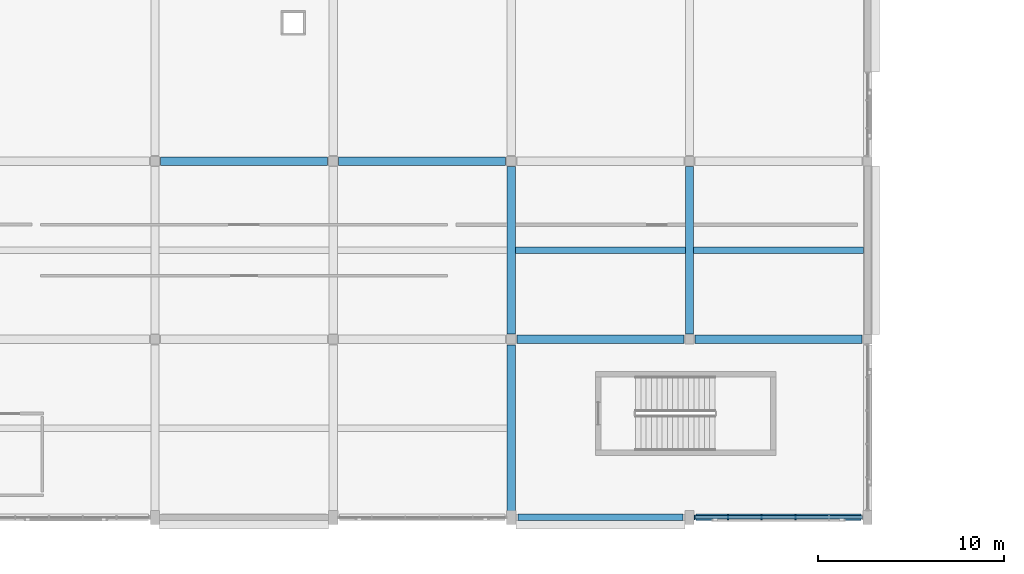
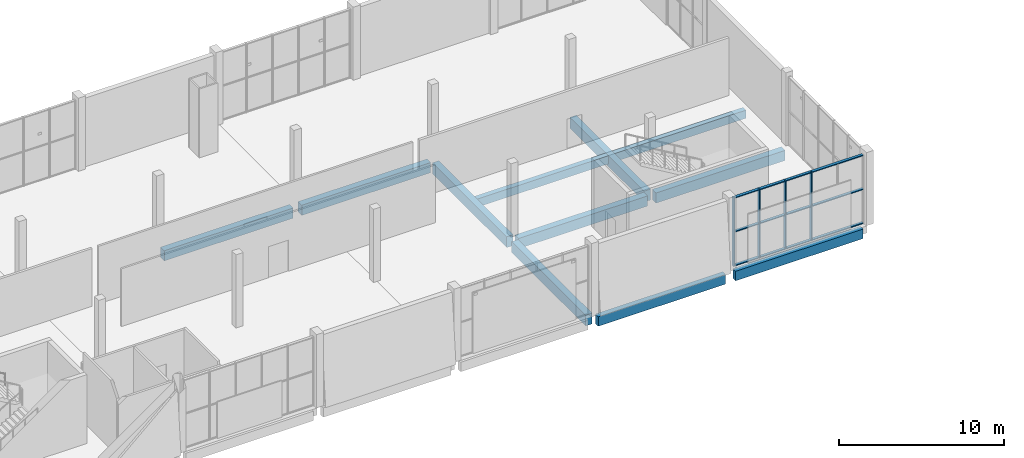
# One storey, part 10 of 83: 11 beams, 7 members, 1 element without a shape of its own.
"""IFC4 building model written with IfcOpenShell, lengths in metres."""

from ifc_helpers import new_model, si_unit, direction, frame, origin, origin_2d, place, context, subcontext, project, spatial, rectangle, extrude, material, material_profile, profile_set, type_object, element, aggregate, save


model = new_model("IFC4")

# Units and contexts
model_context = context("Model", 3, precision=1e-05, world=origin(), true_north=direction((0.0, 1.0)))
body_context = subcontext(model_context, "Body", "Model", "MODEL_VIEW")
ifc_project = project(units=[si_unit("LENGTHUNIT", "METRE"), si_unit("AREAUNIT", "SQUARE_METRE"), si_unit("VOLUMEUNIT", "CUBIC_METRE"), si_unit("PLANEANGLEUNIT", "RADIAN"), si_unit("MASSUNIT", "GRAM", prefix="KILO")], contexts=[model_context])

# Site, building, storey
site_placement = place(None, origin())
site = spatial("IfcSite", under=ifc_project, at=site_placement, CompositionType="ELEMENT")
building_placement = place(site_placement, origin())
building = spatial("IfcBuilding", under=site, at=building_placement, Name="Shalvenor Court Art Gallery", CompositionType="ELEMENT")
storey_placement = place(building_placement, frame((0.0, 0.0, 6.0)))
storey = spatial("IfcBuildingStorey", under=building, at=storey_placement, Name="L01", CompositionType="ELEMENT", Elevation=6.0)

# Beams
ifc_material_1 = material(Name="Concrete C40/50", Category="concrete")
ifc_material_profile_1 = material_profile(ifc_material_1, rectangle(XDim=0.449951171875, YDim=0.800048828125, at=origin_2d()), Name="RC 450x800")
ifc_profile_set_1 = profile_set([ifc_material_profile_1], Name="Concrete C40/50")
beam_type_1 = type_object("IfcBeamType", Name="B-03", PredefinedType="BEAM", material=ifc_profile_set_1)
beam_1_placement = place(storey_placement, frame((48.0, 0.35009765625, -0.719970703125), z_axis=(0.0, 1.0, 0.0), x_axis=(-1.0, 0.0, 0.0)))
element("IfcBeam", 1, at=beam_1_placement, inside=storey, type_object=beam_type_1, Name="L01 Girder BM-L01-B-03-0397", PredefinedType="BEAM", context=body_context, shape_type="SweptSolid", body=[
    extrude(rectangle(XDim=0.449951171875, YDim=0.800048828125, at=origin_2d()), origin(), (0.0, 0.0, 1.0), 8.949951171875),
])
for number, where, z_axis, x_axis, name in (
    (2, (48.0, 9.89990234375, -0.719970703125), (0.0, 1.0, 0.0), (-1.0, 0.0, 0.0), "L01 Girder BM-L01-B-03-0398"),
    (3, (57.60009765625, 9.89990234375, -0.719970703125), (0.0, 1.0, 0.0), (-1.0, 0.0, 0.0), "L01 Girder BM-L01-B-03-0402"),
):
    element("IfcBeam", number, at=place(storey_placement, frame(where, z_axis=z_axis, x_axis=x_axis)), inside=storey, type_object=beam_type_1, Name=name, PredefinedType="BEAM", context=body_context, shape_type="SweptSolid", body=[
        extrude(rectangle(XDim=0.449951171875, YDim=0.800048828125, at=origin_2d()), origin(), (0.0, 0.0, 1.0), 9.0),
    ])
ifc_material_2 = material(Name="Concrete C40/50", Category="concrete")
ifc_material_profile_2 = material_profile(ifc_material_2, rectangle(XDim=0.449951171875, YDim=0.75, at=origin_2d()), Name="RC 450x750")
ifc_profile_set_2 = profile_set([ifc_material_profile_2], Name="Concrete C40/50")
beam_type_2 = type_object("IfcBeamType", Name="B-04", PredefinedType="BEAM", material=ifc_profile_set_2)
for number, where, z_axis, x_axis, name in (
    (4, (48.300048828125, 9.60009765625, -0.695068359375), (1.0, 0.0, 0.0), (0.0, 1.0, 0.0), "L01 Girder BM-L01-B-04-0502"),
    (5, (57.89990234375, 9.60009765625, -0.695068359375), (1.0, 0.0, 0.0), (0.0, 1.0, 0.0), "L01 Girder BM-L01-B-04-0503"),
    (6, (29.10009765625, 19.199951171875, -0.695068359375), (1.0, 0.0, 0.0), (0.0, 1.0, 0.0), "L01 Girder BM-L01-B-04-0508"),
    (7, (38.699951171875, 19.199951171875, -0.695068359375), (1.0, 0.0, 0.0), (0.0, 1.0, 0.0), "L01 Girder BM-L01-B-04-0509"),
):
    element("IfcBeam", number, at=place(storey_placement, frame(where, z_axis=z_axis, x_axis=x_axis)), inside=storey, type_object=beam_type_2, Name=name, PredefinedType="BEAM", context=body_context, shape_type="SweptSolid", body=[
        extrude(rectangle(XDim=0.449951171875, YDim=0.75, at=origin_2d()), origin(), (0.0, 0.0, 1.0), 9.0),
    ])

# Curtain wall, members
ifc_material_3 = material(Name="Anodised aluminium and low-iron glass curtain wall", Category="aluminium")
curtain_wall_type = type_object("IfcCurtainWallType", Name="CW-5x2-91-51-441", PredefinedType="USERDEFINED", material=ifc_material_3)
curtain_wall_placement = place(storey_placement, origin())
curtain_wall = element("IfcCurtainWall", 8, at=curtain_wall_placement, inside=storey, type_object=curtain_wall_type, Name="L01 V4 Curtain Wall CW-L01-134", ObjectType="CURTAIN WALL", PredefinedType="USERDEFINED")
ifc_material_4 = material(Name="Anodised aluminium mullion", Category="aluminium")
ifc_material_profile_3 = material_profile(ifc_material_4, rectangle(XDim=0.074951171875, YDim=0.219970703125, at=origin_2d()), Name="CWM-04")
ifc_profile_set_3 = profile_set([ifc_material_profile_3], Name="Anodised aluminium mullion")
member_type_1 = type_object("IfcMemberType", Name="CWM-04", PredefinedType="MULLION", material=ifc_profile_set_3)
member_1_placement = place(storey_placement, frame((63.31005859375, 0.0, 0.0), z_axis=(0.0, 0.0, 1.0), x_axis=(-1.0, 0.0, 0.0)))
member_1 = element("IfcMember", 9, at=member_1_placement, type_object=member_type_1, Name="CW-5x2-91-51-441 mullion 3", PredefinedType="MULLION", context=body_context, shape_type="SweptSolid", body=[
    extrude(rectangle(XDim=0.074951171875, YDim=0.219970703125, at=origin_2d()), origin(), (0.0, 0.0, 1.0), 5.080078125),
])
member_2_placement = place(storey_placement, frame((61.489990234375, 0.0, 0.0), z_axis=(0.0, 0.0, 1.0), x_axis=(-1.0, 0.0, 0.0)))
member_2 = element("IfcMember", 10, at=member_2_placement, type_object=member_type_1, Name="CW-5x2-91-51-441 mullion 4", PredefinedType="MULLION", context=body_context, shape_type="SweptSolid", body=[
    extrude(rectangle(XDim=0.074951171875, YDim=0.219970703125, at=origin_2d()), origin(), (0.0, 0.0, 1.0), 5.080078125),
])
member_3_placement = place(storey_placement, frame((59.669921875, 0.0, 0.0), z_axis=(0.0, 0.0, 1.0), x_axis=(-1.0, 0.0, 0.0)))
member_3 = element("IfcMember", 11, at=member_3_placement, type_object=member_type_1, Name="CW-5x2-91-51-441 mullion 5", PredefinedType="MULLION", context=body_context, shape_type="SweptSolid", body=[
    extrude(rectangle(XDim=0.074951171875, YDim=0.219970703125, at=origin_2d()), origin(), (0.0, 0.0, 1.0), 5.080078125),
])
member_4_placement = place(storey_placement, frame((57.887451171875, 0.0, 0.0), z_axis=(0.0, 0.0, 1.0), x_axis=(-1.0, 0.0, 0.0)))
member_4 = element("IfcMember", 12, at=member_4_placement, type_object=member_type_1, Name="CW-5x2-91-51-441 mullion 6", PredefinedType="MULLION", context=body_context, shape_type="SweptSolid", body=[
    extrude(rectangle(XDim=0.074951171875, YDim=0.219970703125, at=origin_2d()), origin(), (0.0, 0.0, 1.0), 5.080078125),
])
ifc_material_5 = material(Name="Anodised aluminium transom", Category="aluminium")
ifc_material_profile_4 = material_profile(ifc_material_5, rectangle(XDim=0.18994140625, YDim=0.070068359375, at=origin_2d()), Name="CWT-04")
ifc_profile_set_4 = profile_set([ifc_material_profile_4], Name="Anodised aluminium transom")
member_type_2 = type_object("IfcMemberType", Name="CWT-04", PredefinedType="USERDEFINED", material=ifc_profile_set_4)
member_5_placement = place(storey_placement, frame((66.91259765625, 0.0, 0.034912109375), z_axis=(-1.0, 0.0, 0.0), x_axis=(0.0, -1.0, 0.0)))
member_5 = element("IfcMember", 13, at=member_5_placement, type_object=member_type_2, Name="CW-5x2-91-51-441 transom 1", ObjectType="TRANSOM", PredefinedType="USERDEFINED", context=body_context, shape_type="SweptSolid", body=[
    extrude(rectangle(XDim=0.18994140625, YDim=0.070068359375, at=origin_2d()), origin(), (0.0, 0.0, 1.0), 9.025146484375),
])
member_6_placement = place(storey_placement, frame((66.91259765625, 0.0, 2.5400390625), z_axis=(-1.0, 0.0, 0.0), x_axis=(0.0, -1.0, 0.0)))
member_6 = element("IfcMember", 14, at=member_6_placement, type_object=member_type_2, Name="CW-5x2-91-51-441 transom 2", ObjectType="TRANSOM", PredefinedType="USERDEFINED", context=body_context, shape_type="SweptSolid", body=[
    extrude(rectangle(XDim=0.18994140625, YDim=0.070068359375, at=origin_2d()), origin(), (0.0, 0.0, 1.0), 9.025146484375),
])
member_7_placement = place(storey_placement, frame((66.91259765625, 0.0, 5.044921875), z_axis=(-1.0, 0.0, 0.0), x_axis=(0.0, -1.0, 0.0)))
member_7 = element("IfcMember", 15, at=member_7_placement, type_object=member_type_2, Name="CW-5x2-91-51-441 transom 3", ObjectType="TRANSOM", PredefinedType="USERDEFINED", context=body_context, shape_type="SweptSolid", body=[
    extrude(rectangle(XDim=0.18994140625, YDim=0.070068359375, at=origin_2d()), origin(), (0.0, 0.0, 1.0), 9.025146484375),
])
aggregate(curtain_wall, [member_1, member_2, member_3, member_4, member_5, member_6, member_7])

# Beams
ifc_material_6 = material(Name="Concrete C40/50", Category="concrete")
ifc_material_profile_5 = material_profile(ifc_material_6, rectangle(XDim=0.35009765625, YDim=0.60009765625, at=origin_2d()), Name="RC 350x600")
ifc_profile_set_5 = profile_set([ifc_material_profile_5], Name="Concrete C40/50")
beam_type_3 = type_object("IfcBeamType", Name="J-01", PredefinedType="JOIST", material=ifc_profile_set_5)
beam_2_placement = place(storey_placement, frame((48.22509765625, 14.39990234375, -0.6201171875), z_axis=(1.0, 0.0, 0.0), x_axis=(0.0, 1.0, 0.0)))
element("IfcBeam", 16, at=beam_2_placement, inside=storey, type_object=beam_type_3, Name="L01 Secondary Beam JST-L01-J-01-0644", PredefinedType="JOIST", context=body_context, shape_type="SweptSolid", body=[
    extrude(rectangle(XDim=0.35009765625, YDim=0.60009765625, at=origin_2d()), origin(), (0.0, 0.0, 1.0), 9.14990234375),
])
beam_3_placement = place(storey_placement, frame((57.824951171875, 14.39990234375, -0.6201171875), z_axis=(1.0, 0.0, 0.0), x_axis=(0.0, 1.0, 0.0)))
element("IfcBeam", 17, at=beam_3_placement, inside=storey, type_object=beam_type_3, Name="L01 Secondary Beam JST-L01-J-01-0645", PredefinedType="JOIST", context=body_context, shape_type="SweptSolid", body=[
    extrude(rectangle(XDim=0.35009765625, YDim=0.60009765625, at=origin_2d()), origin(), (0.0, 0.0, 1.0), 9.150146484375),
])
ifc_material_7 = material(Name="Concrete C40/50", Category="concrete")
ifc_material_profile_6 = material_profile(ifc_material_7, rectangle(XDim=0.35009765625, YDim=0.699951171875, at=origin_2d()), Name="RC 350x700")
ifc_profile_set_6 = profile_set([ifc_material_profile_6], Name="Concrete C40/50")
beam_type_4 = type_object("IfcBeamType", Name="SP-01", PredefinedType="SPANDREL", material=ifc_profile_set_6)
beam_4_placement = place(storey_placement, frame((48.35009765625, 0.0, -0.669921875), z_axis=(1.0, 0.0, 0.0), x_axis=(0.0, 1.0, 0.0)))
element("IfcBeam", 18, at=beam_4_placement, inside=storey, type_object=beam_type_4, Name="L01 Spandrel Girder BM-L01-SP-01-0492", PredefinedType="SPANDREL", context=body_context, shape_type="SweptSolid", body=[
    extrude(rectangle(XDim=0.35009765625, YDim=0.699951171875, at=origin_2d()), origin(), (0.0, 0.0, 1.0), 8.89990234375),
])
beam_5_placement = place(storey_placement, frame((57.949951171875, 0.0, -0.669921875), z_axis=(1.0, 0.0, 0.0), x_axis=(0.0, 1.0, 0.0)))
element("IfcBeam", 19, at=beam_5_placement, inside=storey, type_object=beam_type_4, Name="L01 Spandrel Girder BM-L01-SP-01-0493", PredefinedType="SPANDREL", context=body_context, shape_type="SweptSolid", body=[
    extrude(rectangle(XDim=0.35009765625, YDim=0.699951171875, at=origin_2d()), origin(), (0.0, 0.0, 1.0), 8.900146484375),
])

save(model, "model.ifc")
